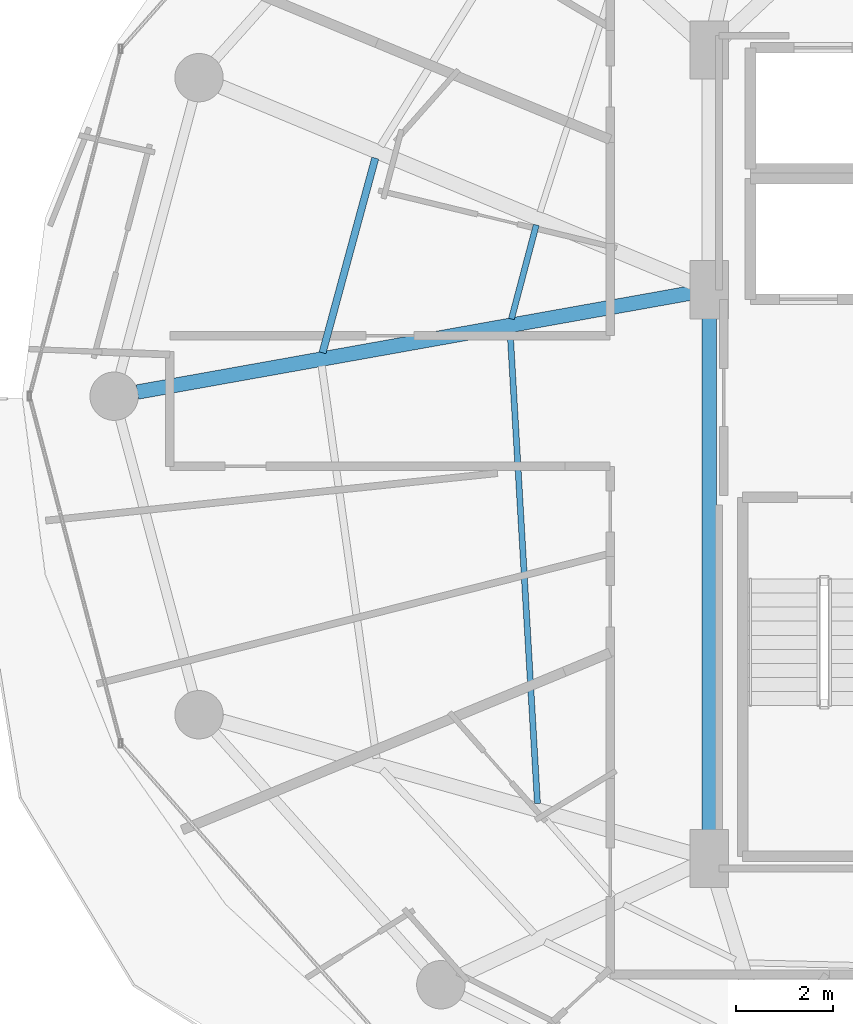
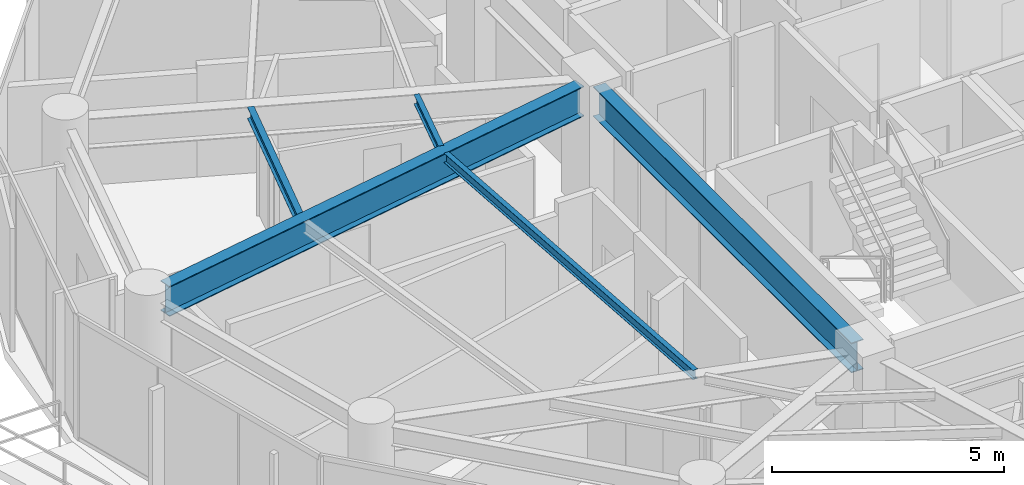
# One storey, part 7 of 28: 5 beams.
"""IFC4 building model written with IfcOpenShell, lengths in metres."""

from ifc_helpers import new_model, si_unit, direction, frame, origin, origin_2d, place, context, subcontext, project, spatial, i_section, extrude, material, material_profile, profile_set, type_object, element, save


model = new_model("IFC4")

# Units and contexts
model_context = context("Model", 3, precision=1e-05, world=origin(), true_north=direction((0.0, 1.0)))
body_context = subcontext(model_context, "Body", "Model", "MODEL_VIEW")
ifc_project = project(units=[si_unit("LENGTHUNIT", "METRE"), si_unit("AREAUNIT", "SQUARE_METRE"), si_unit("VOLUMEUNIT", "CUBIC_METRE"), si_unit("PLANEANGLEUNIT", "RADIAN"), si_unit("MASSUNIT", "GRAM", prefix="KILO")], contexts=[model_context])

# Site, building, storey
site_placement = place(None, origin())
site = spatial("IfcSite", under=ifc_project, at=site_placement, CompositionType="ELEMENT")
building_placement = place(site_placement, origin())
building = spatial("IfcBuilding", under=site, at=building_placement, Name="Vorneva Point Tower", CompositionType="ELEMENT")
storey_placement = place(building_placement, frame((0.0, 0.0, 143.10009765625)))
storey = spatial("IfcBuildingStorey", under=building, at=storey_placement, Name="L38", CompositionType="ELEMENT", Elevation=143.10009765625)

# Beams
ifc_material = material(Name="Steel S355", Category="steel")
ifc_material_profile_1 = material_profile(ifc_material, i_section(OverallWidth=0.300048828125, OverallDepth=0.7880859375, WebThickness=0.014404296875, FlangeThickness=0.02197265625, at=origin_2d()), Name="80Sh1")
ifc_profile_set_1 = profile_set([ifc_material_profile_1], Name="Steel S355")
beam_type_1 = type_object("IfcBeamType", Name="BM-GRD-80Sh1", PredefinedType="USERDEFINED", material=ifc_profile_set_1)
beam_1_placement = place(storey_placement, frame((15.430419921875, 26.0859375, 2.845947265625), z_axis=(0.984378132756, 0.176067293249, 0.0), x_axis=(-0.176067293249, 0.984378132756, 0.0)))
element("IfcBeam", 1, at=beam_1_placement, inside=storey, type_object=beam_type_1, Name="L38 Radial Primary Girder 09", ObjectType="GIRDER", PredefinedType="USERDEFINED", context=body_context, shape_type="SweptSolid", body=[
    extrude(i_section(OverallWidth=0.300048828125, OverallDepth=0.7880859375, WebThickness=0.014404296875, FlangeThickness=0.02197265625, at=origin_2d()), origin(), (0.0, 0.0, 1.0), 11.667236328125),
])
beam_2_placement = place(storey_placement, frame((27.25, 16.77001953125, 2.845947265625), z_axis=(0.0, 1.0, 0.0), x_axis=(-1.0, 0.0, 0.0)))
element("IfcBeam", 2, at=beam_2_placement, inside=storey, type_object=beam_type_1, Name="L38 Core Tie Girder CT1", ObjectType="GIRDER", PredefinedType="USERDEFINED", context=body_context, shape_type="SweptSolid", body=[
    extrude(i_section(OverallWidth=0.300048828125, OverallDepth=0.7880859375, WebThickness=0.014404296875, FlangeThickness=0.02197265625, at=origin_2d()), origin(), (0.0, 0.0, 1.0), 11.10986328125),
])
ifc_material_profile_2 = material_profile(ifc_material, i_section(OverallWidth=0.1240234375, OverallDepth=0.248046875, WebThickness=0.0048828125, FlangeThickness=0.008056640625, at=origin_2d()), Name="25B1")
ifc_profile_set_2 = profile_set([ifc_material_profile_2], Name="Steel S355")
beam_type_2 = type_object("IfcBeamType", Name="BM-JST-25B1", PredefinedType="JOIST", material=ifc_profile_set_2)
beam_3_placement = place(storey_placement, frame((23.673095703125, 29.538330078125, 3.115966796875), z_axis=(-0.255181084238, -0.966893279658, 0.0), x_axis=(0.966893279658, -0.255181084238, 0.0)))
element("IfcBeam", 3, at=beam_3_placement, inside=storey, type_object=beam_type_2, Name="L38 Secondary Floor Beam 2.08", PredefinedType="JOIST", context=body_context, shape_type="SweptSolid", body=[
    extrude(i_section(OverallWidth=0.1240234375, OverallDepth=0.248046875, WebThickness=0.0048828125, FlangeThickness=0.008056640625, at=origin_2d()), origin(), (0.0, 0.0, 1.0), 2.009033203125),
])
beam_4_placement = place(storey_placement, frame((23.13330078125, 27.324462890625, 3.115966796875), z_axis=(0.057859390455, -0.998324742224, 0.0), x_axis=(0.998324742224, 0.057859390455, 0.0)))
element("IfcBeam", 4, at=beam_4_placement, inside=storey, type_object=beam_type_2, Name="L38 Secondary Floor Beam 2.09", PredefinedType="JOIST", context=body_context, shape_type="SweptSolid", body=[
    extrude(i_section(OverallWidth=0.1240234375, OverallDepth=0.248046875, WebThickness=0.0048828125, FlangeThickness=0.008056640625, at=origin_2d()), origin(), (0.0, 0.0, 1.0), 9.755615234375),
])
ifc_material_profile_3 = material_profile(ifc_material, i_section(OverallWidth=0.14892578125, OverallDepth=0.298095703125, WebThickness=0.005615234375, FlangeThickness=0.008056640625, at=origin_2d()), Name="30B1")
ifc_profile_set_3 = profile_set([ifc_material_profile_3], Name="Steel S355")
beam_type_3 = type_object("IfcBeamType", Name="BM-JST-30B1", PredefinedType="JOIST", material=ifc_profile_set_3)
beam_5_placement = place(storey_placement, frame((20.3466796875, 30.92041015625, 3.0908203125), z_axis=(-0.2615064173, -0.965201737312, 0.0), x_axis=(0.965201737312, -0.2615064173, 0.0)))
element("IfcBeam", 5, at=beam_5_placement, inside=storey, type_object=beam_type_3, Name="L38 Secondary Floor Beam 1.08", PredefinedType="JOIST", context=body_context, shape_type="SweptSolid", body=[
    extrude(i_section(OverallWidth=0.14892578125, OverallDepth=0.298095703125, WebThickness=0.005615234375, FlangeThickness=0.008056640625, at=origin_2d()), origin(), (0.0, 0.0, 1.0), 4.16845703125),
])

save(model, "model.ifc")
